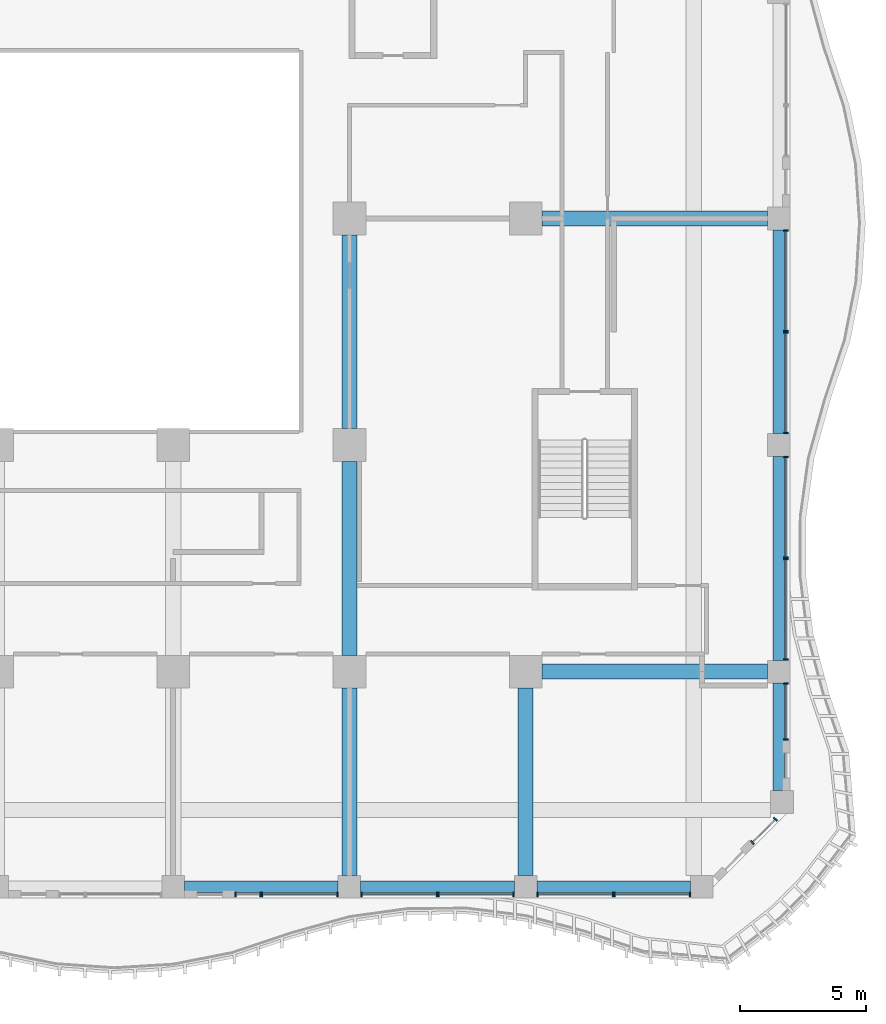
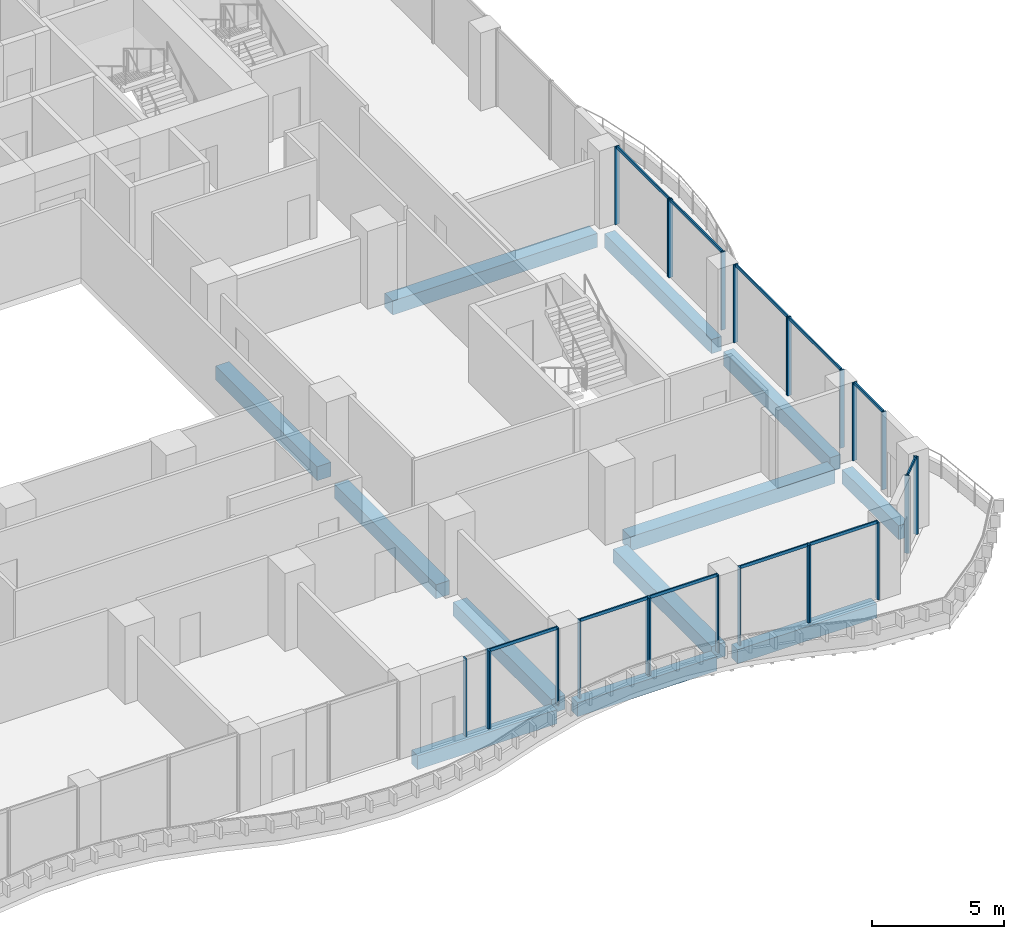
# One storey, part 6 of 23: 35 members, 12 beams, 12 elements without a shape of their own.
"""IFC4 building model written with IfcOpenShell, lengths in metres."""

from ifc_helpers import new_model, si_unit, direction, frame, origin, origin_2d, place, context, subcontext, project, spatial, rectangle, extrude, source, transform, mapped, material, material_profile, profile_set, type_object, element, aggregate, save


model = new_model("IFC4")

# Units and contexts
model_context = context("Model", 3, precision=1e-05, world=origin(), true_north=direction((0.0, 1.0)))
body_context = subcontext(model_context, "Body", "Model", "MODEL_VIEW")
ifc_project = project(units=[si_unit("LENGTHUNIT", "METRE"), si_unit("AREAUNIT", "SQUARE_METRE"), si_unit("VOLUMEUNIT", "CUBIC_METRE"), si_unit("PLANEANGLEUNIT", "RADIAN"), si_unit("MASSUNIT", "GRAM", prefix="KILO")], contexts=[model_context])

# Site, building, storey
site_placement = place(None, origin())
site = spatial("IfcSite", under=ifc_project, at=site_placement, CompositionType="ELEMENT")
building_placement = place(site_placement, origin())
building = spatial("IfcBuilding", under=site, at=building_placement, Name="Kilnfold Tower and Market Hall", CompositionType="ELEMENT")
storey_placement = place(building_placement, frame((0.0, 0.0, 55.0)))
storey = spatial("IfcBuildingStorey", under=building, at=storey_placement, Name="L12", CompositionType="ELEMENT", Elevation=55.0)

# Beams
ifc_material_1 = material(Name="Concrete C45", Category="concrete")
ifc_material_profile_1 = material_profile(ifc_material_1, rectangle(XDim=0.449951171875, YDim=0.64990234375, at=origin_2d()), Name="RC 450x650")
ifc_profile_set_1 = profile_set([ifc_material_profile_1], Name="Concrete C45")
beam_type_1 = type_object("IfcBeamType", Name="EDGE BEAM 450X650 C45", PredefinedType="BEAM", material=ifc_profile_set_1)
shared_shape_1 = source(origin(), body_context, "Body", "SweptSolid", [
    extrude(rectangle(XDim=0.449951171875, YDim=0.64990234375, at=origin_2d()), origin(), (0.0, 0.0, 1.0), 6.10009765625),
])
for number, where, z_axis, x_axis, name in (
    (1, (3.949951171875, -27.550048828125, -0.60498046875), (1.0, 0.0, 0.0), (0.0, 1.0, 0.0), "Beam EB650-B1.4"),
    (2, (10.949951171875, -27.550048828125, -0.60498046875), (1.0, 0.0, 0.0), (0.0, 1.0, 0.0), "Beam EB650-B1.5"),
    (3, (17.949951171875, -27.550048828125, -0.60498046875), (1.0, 0.0, 0.0), (0.0, 1.0, 0.0), "Beam EB650-B1.6"),
):
    element("IfcBeam", number, at=place(storey_placement, frame(where, z_axis=z_axis, x_axis=x_axis)), inside=storey, type_object=beam_type_1, Name=name, PredefinedType="BEAM", context=body_context, shape_type="MappedRepresentation", body=[
        mapped(shared_shape_1, transform((0.0, 0.0, 0.0))),
    ])
ifc_material_2 = material(Name="Concrete C45", Category="concrete")
ifc_material_profile_2 = material_profile(ifc_material_2, rectangle(XDim=0.60009765625, YDim=0.64990234375, at=origin_2d()), Name="RC 600x650")
ifc_profile_set_2 = profile_set([ifc_material_profile_2], Name="Concrete C45")
beam_type_2 = type_object("IfcBeamType", Name="BEAM 600X650 C45", PredefinedType="BEAM", material=ifc_profile_set_2)
shared_shape_2 = source(origin(), body_context, "Body", "SweptSolid", [
    extrude(rectangle(XDim=0.60009765625, YDim=0.64990234375, at=origin_2d()), origin(), (0.0, 0.0, 1.0), 8.9501953125),
])
for number, where, z_axis, x_axis, name in (
    (4, (18.14990234375, -19.0, -0.60498046875), (1.0, 0.0, 0.0), (0.0, 1.0, 0.0), "Beam BB650-B1.12"),
    (5, (18.14990234375, -1.0, -0.60498046875), (1.0, 0.0, 0.0), (0.0, 1.0, 0.0), "Beam BB650-B1.20"),
):
    element("IfcBeam", number, at=place(storey_placement, frame(where, z_axis=z_axis, x_axis=x_axis)), inside=storey, type_object=beam_type_2, Name=name, PredefinedType="BEAM", context=body_context, shape_type="MappedRepresentation", body=[
        mapped(shared_shape_2, transform((0.0, 0.0, 0.0))),
    ])
shared_shape_3 = source(origin(), body_context, "Body", "SweptSolid", [
    extrude(rectangle(XDim=0.449951171875, YDim=0.64990234375, at=origin_2d()), origin(), (0.0, 0.0, 1.0), 8.10009765625),
])
for number, where, z_axis, x_axis, name in (
    (6, (27.550048828125, -18.550048828125, -0.60498046875), (0.0, 1.0, 0.0), (-1.0, 0.0, 0.0), "Beam EB650-B1.52"),
    (7, (27.550048828125, -9.550048828125, -0.60498046875), (0.0, 1.0, 0.0), (-1.0, 0.0, 0.0), "Beam EB650-B1.58"),
):
    element("IfcBeam", number, at=place(storey_placement, frame(where, z_axis=z_axis, x_axis=x_axis)), inside=storey, type_object=beam_type_1, Name=name, PredefinedType="BEAM", context=body_context, shape_type="MappedRepresentation", body=[
        mapped(shared_shape_3, transform((0.0, 0.0, 0.0))),
    ])
shared_shape_4 = source(origin(), body_context, "Body", "SweptSolid", [
    extrude(rectangle(XDim=0.60009765625, YDim=0.64990234375, at=origin_2d()), origin(), (0.0, 0.0, 1.0), 7.4501953125),
])
for number, where, z_axis, x_axis, name in (
    (8, (10.5, -27.10009765625, -0.60498046875), (0.0, 1.0, 0.0), (-1.0, 0.0, 0.0), "Beam BB650-B1.47"),
    (9, (17.5, -27.10009765625, -0.60498046875), (0.0, 1.0, 0.0), (-1.0, 0.0, 0.0), "Beam BB650-B1.50"),
):
    element("IfcBeam", number, at=place(storey_placement, frame(where, z_axis=z_axis, x_axis=x_axis)), inside=storey, type_object=beam_type_2, Name=name, PredefinedType="BEAM", context=body_context, shape_type="MappedRepresentation", body=[
        mapped(shared_shape_4, transform((0.0, 0.0, 0.0))),
    ])
shared_shape_5 = source(origin(), body_context, "Body", "SweptSolid", [
    extrude(rectangle(XDim=0.60009765625, YDim=0.64990234375, at=origin_2d()), origin(), (0.0, 0.0, 1.0), 7.7001953125),
])
for number, where, z_axis, x_axis, name in (
    (10, (10.5, -18.35009765625, -0.60498046875), (0.0, 1.0, 0.0), (-1.0, 0.0, 0.0), "Beam BB650-B1.48"),
    (11, (10.5, -9.35009765625, -0.60498046875), (0.0, 1.0, 0.0), (-1.0, 0.0, 0.0), "Beam BB650-B1.49"),
):
    element("IfcBeam", number, at=place(storey_placement, frame(where, z_axis=z_axis, x_axis=x_axis)), inside=storey, type_object=beam_type_2, Name=name, PredefinedType="BEAM", context=body_context, shape_type="MappedRepresentation", body=[
        mapped(shared_shape_5, transform((0.0, 0.0, 0.0))),
    ])
shared_shape_6 = source(origin(), body_context, "Body", "SweptSolid", [
    extrude(rectangle(XDim=0.449951171875, YDim=0.64990234375, at=origin_2d()), origin(), (0.0, 0.0, 1.0), 4.28173828125),
])
beam_placement = place(storey_placement, frame((27.550048828125, -23.731689453125, -0.60498046875), z_axis=(0.0, 1.0, 0.0), x_axis=(-1.0, 0.0, 0.0)))
element("IfcBeam", 12, at=beam_placement, inside=storey, type_object=beam_type_1, Name="Beam EB650-B1.51", PredefinedType="BEAM", context=body_context, shape_type="MappedRepresentation", body=[
    mapped(shared_shape_6, transform((0.0, 0.0, 0.0))),
])

# Curtain wall, member
ifc_material_3 = material(Name="Aluminium and double glazing", Category="aluminium")
curtain_wall_type = type_object("IfcCurtainWallType", Name="CW OF1 VALLEY GLAZING", PredefinedType="NOTDEFINED", material=ifc_material_3)
curtain_wall_1_placement = place(storey_placement, origin())
curtain_wall_1 = element("IfcCurtainWall", 13, at=curtain_wall_1_placement, inside=storey, type_object=curtain_wall_type, Name="Curtain wall CW1 L12 S", PredefinedType="NOTDEFINED")
ifc_material_4 = material(Name="Aluminium", Category="aluminium")
ifc_material_profile_3 = material_profile(ifc_material_4, rectangle(XDim=0.06005859375, YDim=0.139892578125, at=origin_2d()), Name="TRANSOM 60x140")
ifc_profile_set_3 = profile_set([ifc_material_profile_3], Name="Aluminium")
member_type_1 = type_object("IfcMemberType", Name="TRANSOM 60X140", PredefinedType="USERDEFINED", material=ifc_profile_set_3)
shared_shape_7 = source(origin(), body_context, "Body", "SweptSolid", [
    extrude(rectangle(XDim=0.06005859375, YDim=0.139892578125, at=origin_2d()), origin(), (0.0, 0.0, 1.0), 2.929931640625),
])
member_1_placement = place(storey_placement, frame((7.06005859375, -27.85009765625, 3.570068359375), z_axis=(1.0, 0.0, 0.0), x_axis=(0.0, 1.0, 0.0)))
member_1 = element("IfcMember", 14, at=member_1_placement, type_object=member_type_1, Name="CW1 transom 1.2", ObjectType="TRANSOM", PredefinedType="USERDEFINED", context=body_context, shape_type="MappedRepresentation", body=[
    mapped(shared_shape_7, transform((0.0, 0.0, 0.0))),
])

curtain_wall_2_placement = place(storey_placement, origin())
curtain_wall_2 = element("IfcCurtainWall", 15, at=curtain_wall_2_placement, inside=storey, type_object=curtain_wall_type, Name="Curtain wall CW1 L12 S", PredefinedType="NOTDEFINED")
member_2_placement = place(storey_placement, frame((11.010009765625, -27.85009765625, 3.570068359375), z_axis=(1.0, 0.0, 0.0), x_axis=(0.0, 1.0, 0.0)))
member_2 = element("IfcMember", 16, at=member_2_placement, type_object=member_type_1, Name="CW1 transom 1.2", ObjectType="TRANSOM", PredefinedType="USERDEFINED", context=body_context, shape_type="MappedRepresentation", body=[
    mapped(shared_shape_7, transform((0.0, 0.0, 0.0))),
])

curtain_wall_3_placement = place(storey_placement, origin())
curtain_wall_3 = element("IfcCurtainWall", 17, at=curtain_wall_3_placement, inside=storey, type_object=curtain_wall_type, Name="Curtain wall CW1 L12 S", PredefinedType="NOTDEFINED")
member_3_placement = place(storey_placement, frame((14.06005859375, -27.85009765625, 3.570068359375), z_axis=(1.0, 0.0, 0.0), x_axis=(0.0, 1.0, 0.0)))
member_3 = element("IfcMember", 18, at=member_3_placement, type_object=member_type_1, Name="CW1 transom 1.2", ObjectType="TRANSOM", PredefinedType="USERDEFINED", context=body_context, shape_type="MappedRepresentation", body=[
    mapped(shared_shape_7, transform((0.0, 0.0, 0.0))),
])

curtain_wall_4_placement = place(storey_placement, origin())
curtain_wall_4 = element("IfcCurtainWall", 19, at=curtain_wall_4_placement, inside=storey, type_object=curtain_wall_type, Name="Curtain wall CW1 L12 S", PredefinedType="NOTDEFINED")
member_4_placement = place(storey_placement, frame((18.010009765625, -27.85009765625, 3.570068359375), z_axis=(1.0, 0.0, 0.0), x_axis=(0.0, 1.0, 0.0)))
member_4 = element("IfcMember", 20, at=member_4_placement, type_object=member_type_1, Name="CW1 transom 1.2", ObjectType="TRANSOM", PredefinedType="USERDEFINED", context=body_context, shape_type="MappedRepresentation", body=[
    mapped(shared_shape_7, transform((0.0, 0.0, 0.0))),
])

curtain_wall_5_placement = place(storey_placement, origin())
curtain_wall_5 = element("IfcCurtainWall", 21, at=curtain_wall_5_placement, inside=storey, type_object=curtain_wall_type, Name="Curtain wall CW1 L12 S", PredefinedType="NOTDEFINED")
member_5_placement = place(storey_placement, frame((21.06005859375, -27.85009765625, 3.570068359375), z_axis=(1.0, 0.0, 0.0), x_axis=(0.0, 1.0, 0.0)))
member_5 = element("IfcMember", 22, at=member_5_placement, type_object=member_type_1, Name="CW1 transom 1.2", ObjectType="TRANSOM", PredefinedType="USERDEFINED", context=body_context, shape_type="MappedRepresentation", body=[
    mapped(shared_shape_7, transform((0.0, 0.0, 0.0))),
])

curtain_wall_6_placement = place(storey_placement, origin())
curtain_wall_6 = element("IfcCurtainWall", 23, at=curtain_wall_6_placement, inside=storey, type_object=curtain_wall_type, Name="Curtain wall CW1 L12 SE", PredefinedType="NOTDEFINED")
shared_shape_8 = source(origin(), body_context, "Body", "SweptSolid", [
    extrude(rectangle(XDim=0.06005859375, YDim=0.139892578125, at=origin_2d()), origin(), (0.0, 0.0, 1.0), 1.23876953125),
])
member_6_placement = place(storey_placement, frame((26.525634765625, -25.76220703125, 3.570068359375), z_axis=(0.707106781187, 0.707106781187, 0.0), x_axis=(-0.707106781187, 0.707106781187, 0.0)))
member_6 = element("IfcMember", 24, at=member_6_placement, type_object=member_type_1, Name="CW1 transom 1.2", ObjectType="TRANSOM", PredefinedType="USERDEFINED", context=body_context, shape_type="MappedRepresentation", body=[
    mapped(shared_shape_8, transform((0.0, 0.0, 0.0))),
])

curtain_wall_7_placement = place(storey_placement, origin())
curtain_wall_7 = element("IfcCurtainWall", 25, at=curtain_wall_7_placement, inside=storey, type_object=curtain_wall_type, Name="Curtain wall CW1 L12 E", PredefinedType="NOTDEFINED")
shared_shape_9 = source(origin(), body_context, "Body", "SweptSolid", [
    extrude(rectangle(XDim=0.06005859375, YDim=0.139892578125, at=origin_2d()), origin(), (0.0, 0.0, 1.0), 2.161865234375),
])
member_7_placement = place(storey_placement, frame((27.85009765625, -21.671875, 3.570068359375), z_axis=(0.0, 1.0, 0.0), x_axis=(-1.0, 0.0, 0.0)))
member_7 = element("IfcMember", 26, at=member_7_placement, type_object=member_type_1, Name="CW1 transom 1.2", ObjectType="TRANSOM", PredefinedType="USERDEFINED", context=body_context, shape_type="MappedRepresentation", body=[
    mapped(shared_shape_9, transform((0.0, 0.0, 0.0))),
])

curtain_wall_8_placement = place(storey_placement, origin())
curtain_wall_8 = element("IfcCurtainWall", 27, at=curtain_wall_8_placement, inside=storey, type_object=curtain_wall_type, Name="Curtain wall CW1 L12 E", PredefinedType="NOTDEFINED")
shared_shape_10 = source(origin(), body_context, "Body", "SweptSolid", [
    extrude(rectangle(XDim=0.06005859375, YDim=0.139892578125, at=origin_2d()), origin(), (0.0, 0.0, 1.0), 3.929931640625),
])
member_8_placement = place(storey_placement, frame((27.85009765625, -18.489990234375, 3.570068359375), z_axis=(0.0, 1.0, 0.0), x_axis=(-1.0, 0.0, 0.0)))
member_8 = element("IfcMember", 28, at=member_8_placement, type_object=member_type_1, Name="CW1 transom 1.2", ObjectType="TRANSOM", PredefinedType="USERDEFINED", context=body_context, shape_type="MappedRepresentation", body=[
    mapped(shared_shape_10, transform((0.0, 0.0, 0.0))),
])

curtain_wall_9_placement = place(storey_placement, origin())
curtain_wall_9 = element("IfcCurtainWall", 29, at=curtain_wall_9_placement, inside=storey, type_object=curtain_wall_type, Name="Curtain wall CW1 L12 E", PredefinedType="NOTDEFINED")
member_9_placement = place(storey_placement, frame((27.85009765625, -14.43994140625, 3.570068359375), z_axis=(0.0, 1.0, 0.0), x_axis=(-1.0, 0.0, 0.0)))
member_9 = element("IfcMember", 30, at=member_9_placement, type_object=member_type_1, Name="CW1 transom 1.2", ObjectType="TRANSOM", PredefinedType="USERDEFINED", context=body_context, shape_type="MappedRepresentation", body=[
    mapped(shared_shape_10, transform((0.0, 0.0, 0.0))),
])

curtain_wall_10_placement = place(storey_placement, origin())
curtain_wall_10 = element("IfcCurtainWall", 31, at=curtain_wall_10_placement, inside=storey, type_object=curtain_wall_type, Name="Curtain wall CW1 L12 E", PredefinedType="NOTDEFINED")
member_10_placement = place(storey_placement, frame((27.85009765625, -9.489990234375, 3.570068359375), z_axis=(0.0, 1.0, 0.0), x_axis=(-1.0, 0.0, 0.0)))
member_10 = element("IfcMember", 32, at=member_10_placement, type_object=member_type_1, Name="CW1 transom 1.2", ObjectType="TRANSOM", PredefinedType="USERDEFINED", context=body_context, shape_type="MappedRepresentation", body=[
    mapped(shared_shape_10, transform((0.0, 0.0, 0.0))),
])

curtain_wall_11_placement = place(storey_placement, origin())
curtain_wall_11 = element("IfcCurtainWall", 33, at=curtain_wall_11_placement, inside=storey, type_object=curtain_wall_type, Name="Curtain wall CW1 L12 E", PredefinedType="NOTDEFINED")
member_11_placement = place(storey_placement, frame((27.85009765625, -5.43994140625, 3.570068359375), z_axis=(0.0, 1.0, 0.0), x_axis=(-1.0, 0.0, 0.0)))
member_11 = element("IfcMember", 34, at=member_11_placement, type_object=member_type_1, Name="CW1 transom 1.2", ObjectType="TRANSOM", PredefinedType="USERDEFINED", context=body_context, shape_type="MappedRepresentation", body=[
    mapped(shared_shape_10, transform((0.0, 0.0, 0.0))),
])

# Curtain wall, members
curtain_wall_12_placement = place(storey_placement, origin())
curtain_wall_12 = element("IfcCurtainWall", 35, at=curtain_wall_12_placement, inside=storey, type_object=curtain_wall_type, Name="Curtain wall CW1 L12 S", PredefinedType="NOTDEFINED")
ifc_material_5 = material(Name="Aluminium", Category="aluminium")
ifc_material_profile_4 = material_profile(ifc_material_5, rectangle(XDim=0.06005859375, YDim=0.179931640625, at=origin_2d()), Name="MULLION 60x180")
ifc_profile_set_4 = profile_set([ifc_material_profile_4], Name="Aluminium")
member_type_2 = type_object("IfcMemberType", Name="MULLION 60X180", PredefinedType="MULLION", material=ifc_profile_set_4)
shared_shape_11 = source(origin(), body_context, "Body", "SweptSolid", [
    extrude(rectangle(XDim=0.06005859375, YDim=0.179931640625, at=origin_2d()), origin(), (0.0, 0.0, 1.0), 3.60009765625),
])
member_12_placement = place(storey_placement, frame((5.97998046875, -27.85009765625, 0.0), z_axis=(0.0, 0.0, 1.0), x_axis=(1.0, 0.0, 0.0)))
member_12 = element("IfcMember", 36, at=member_12_placement, type_object=member_type_2, Name="CW1 mullion 1", PredefinedType="MULLION", context=body_context, shape_type="MappedRepresentation", body=[
    mapped(shared_shape_11, transform((0.0, 0.0, 0.0))),
])
member_13_placement = place(storey_placement, frame((6.969970703125, -27.85009765625, 0.0), z_axis=(0.0, 0.0, 1.0), x_axis=(1.0, 0.0, 0.0)))
member_13 = element("IfcMember", 37, at=member_13_placement, type_object=member_type_2, Name="CW1 mullion 2", PredefinedType="MULLION", context=body_context, shape_type="MappedRepresentation", body=[
    mapped(shared_shape_11, transform((0.0, 0.0, 0.0))),
])
aggregate(curtain_wall_12, [member_12, member_13])

# Member
member_14_placement = place(storey_placement, frame((7.030029296875, -27.85009765625, 0.0), z_axis=(0.0, 0.0, 1.0), x_axis=(1.0, 0.0, 0.0)))
member_14 = element("IfcMember", 38, at=member_14_placement, type_object=member_type_2, Name="CW1 mullion 1", PredefinedType="MULLION", context=body_context, shape_type="MappedRepresentation", body=[
    mapped(shared_shape_11, transform((0.0, 0.0, 0.0))),
])

member_15_placement = place(storey_placement, frame((10.02001953125, -27.85009765625, 0.0), z_axis=(0.0, 0.0, 1.0), x_axis=(1.0, 0.0, 0.0)))
member_15 = element("IfcMember", 39, at=member_15_placement, type_object=member_type_2, Name="CW1 mullion 2", PredefinedType="MULLION", context=body_context, shape_type="MappedRepresentation", body=[
    mapped(shared_shape_11, transform((0.0, 0.0, 0.0))),
])

aggregate(curtain_wall_1, [member_14, member_15, member_1])

member_16_placement = place(storey_placement, frame((10.97998046875, -27.85009765625, 0.0), z_axis=(0.0, 0.0, 1.0), x_axis=(1.0, 0.0, 0.0)))
member_16 = element("IfcMember", 40, at=member_16_placement, type_object=member_type_2, Name="CW1 mullion 1", PredefinedType="MULLION", context=body_context, shape_type="MappedRepresentation", body=[
    mapped(shared_shape_11, transform((0.0, 0.0, 0.0))),
])

member_17_placement = place(storey_placement, frame((13.969970703125, -27.85009765625, 0.0), z_axis=(0.0, 0.0, 1.0), x_axis=(1.0, 0.0, 0.0)))
member_17 = element("IfcMember", 41, at=member_17_placement, type_object=member_type_2, Name="CW1 mullion 2", PredefinedType="MULLION", context=body_context, shape_type="MappedRepresentation", body=[
    mapped(shared_shape_11, transform((0.0, 0.0, 0.0))),
])

aggregate(curtain_wall_2, [member_16, member_17, member_2])

member_18_placement = place(storey_placement, frame((14.030029296875, -27.85009765625, 0.0), z_axis=(0.0, 0.0, 1.0), x_axis=(1.0, 0.0, 0.0)))
member_18 = element("IfcMember", 42, at=member_18_placement, type_object=member_type_2, Name="CW1 mullion 1", PredefinedType="MULLION", context=body_context, shape_type="MappedRepresentation", body=[
    mapped(shared_shape_11, transform((0.0, 0.0, 0.0))),
])

member_19_placement = place(storey_placement, frame((17.02001953125, -27.85009765625, 0.0), z_axis=(0.0, 0.0, 1.0), x_axis=(1.0, 0.0, 0.0)))
member_19 = element("IfcMember", 43, at=member_19_placement, type_object=member_type_2, Name="CW1 mullion 2", PredefinedType="MULLION", context=body_context, shape_type="MappedRepresentation", body=[
    mapped(shared_shape_11, transform((0.0, 0.0, 0.0))),
])

aggregate(curtain_wall_3, [member_18, member_19, member_3])

member_20_placement = place(storey_placement, frame((17.97998046875, -27.85009765625, 0.0), z_axis=(0.0, 0.0, 1.0), x_axis=(1.0, 0.0, 0.0)))
member_20 = element("IfcMember", 44, at=member_20_placement, type_object=member_type_2, Name="CW1 mullion 1", PredefinedType="MULLION", context=body_context, shape_type="MappedRepresentation", body=[
    mapped(shared_shape_11, transform((0.0, 0.0, 0.0))),
])

member_21_placement = place(storey_placement, frame((20.969970703125, -27.85009765625, 0.0), z_axis=(0.0, 0.0, 1.0), x_axis=(1.0, 0.0, 0.0)))
member_21 = element("IfcMember", 45, at=member_21_placement, type_object=member_type_2, Name="CW1 mullion 2", PredefinedType="MULLION", context=body_context, shape_type="MappedRepresentation", body=[
    mapped(shared_shape_11, transform((0.0, 0.0, 0.0))),
])

aggregate(curtain_wall_4, [member_20, member_21, member_4])

member_22_placement = place(storey_placement, frame((21.030029296875, -27.85009765625, 0.0), z_axis=(0.0, 0.0, 1.0), x_axis=(1.0, 0.0, 0.0)))
member_22 = element("IfcMember", 46, at=member_22_placement, type_object=member_type_2, Name="CW1 mullion 1", PredefinedType="MULLION", context=body_context, shape_type="MappedRepresentation", body=[
    mapped(shared_shape_11, transform((0.0, 0.0, 0.0))),
])

member_23_placement = place(storey_placement, frame((24.02001953125, -27.85009765625, 0.0), z_axis=(0.0, 0.0, 1.0), x_axis=(1.0, 0.0, 0.0)))
member_23 = element("IfcMember", 47, at=member_23_placement, type_object=member_type_2, Name="CW1 mullion 2", PredefinedType="MULLION", context=body_context, shape_type="MappedRepresentation", body=[
    mapped(shared_shape_11, transform((0.0, 0.0, 0.0))),
])

aggregate(curtain_wall_5, [member_22, member_23, member_5])

member_24_placement = place(storey_placement, frame((26.50439453125, -25.783447265625, 0.0), z_axis=(0.0, 0.0, 1.0), x_axis=(0.707106781187, 0.707106781187, 0.0)))
member_24 = element("IfcMember", 48, at=member_24_placement, type_object=member_type_2, Name="CW1 mullion 1", PredefinedType="MULLION", context=body_context, shape_type="MappedRepresentation", body=[
    mapped(shared_shape_11, transform((0.0, 0.0, 0.0))),
])

member_25_placement = place(storey_placement, frame((27.4228515625, -24.865234375, 0.0), z_axis=(0.0, 0.0, 1.0), x_axis=(0.707106781187, 0.707106781187, 0.0)))
member_25 = element("IfcMember", 49, at=member_25_placement, type_object=member_type_2, Name="CW1 mullion 2", PredefinedType="MULLION", context=body_context, shape_type="MappedRepresentation", body=[
    mapped(shared_shape_11, transform((0.0, 0.0, 0.0))),
])

aggregate(curtain_wall_6, [member_24, member_25, member_6])

member_26_placement = place(storey_placement, frame((27.85009765625, -21.701904296875, 0.0), z_axis=(0.0, 0.0, 1.0), x_axis=(0.0, 1.0, 0.0)))
member_26 = element("IfcMember", 50, at=member_26_placement, type_object=member_type_2, Name="CW1 mullion 1", PredefinedType="MULLION", context=body_context, shape_type="MappedRepresentation", body=[
    mapped(shared_shape_11, transform((0.0, 0.0, 0.0))),
])

member_27_placement = place(storey_placement, frame((27.85009765625, -19.47998046875, 0.0), z_axis=(0.0, 0.0, 1.0), x_axis=(0.0, 1.0, 0.0)))
member_27 = element("IfcMember", 51, at=member_27_placement, type_object=member_type_2, Name="CW1 mullion 2", PredefinedType="MULLION", context=body_context, shape_type="MappedRepresentation", body=[
    mapped(shared_shape_11, transform((0.0, 0.0, 0.0))),
])

aggregate(curtain_wall_7, [member_26, member_27, member_7])

member_28_placement = place(storey_placement, frame((27.85009765625, -18.52001953125, 0.0), z_axis=(0.0, 0.0, 1.0), x_axis=(0.0, 1.0, 0.0)))
member_28 = element("IfcMember", 52, at=member_28_placement, type_object=member_type_2, Name="CW1 mullion 1", PredefinedType="MULLION", context=body_context, shape_type="MappedRepresentation", body=[
    mapped(shared_shape_11, transform((0.0, 0.0, 0.0))),
])

member_29_placement = place(storey_placement, frame((27.85009765625, -14.530029296875, 0.0), z_axis=(0.0, 0.0, 1.0), x_axis=(0.0, 1.0, 0.0)))
member_29 = element("IfcMember", 53, at=member_29_placement, type_object=member_type_2, Name="CW1 mullion 2", PredefinedType="MULLION", context=body_context, shape_type="MappedRepresentation", body=[
    mapped(shared_shape_11, transform((0.0, 0.0, 0.0))),
])

aggregate(curtain_wall_8, [member_28, member_29, member_8])

member_30_placement = place(storey_placement, frame((27.85009765625, -14.469970703125, 0.0), z_axis=(0.0, 0.0, 1.0), x_axis=(0.0, 1.0, 0.0)))
member_30 = element("IfcMember", 54, at=member_30_placement, type_object=member_type_2, Name="CW1 mullion 1", PredefinedType="MULLION", context=body_context, shape_type="MappedRepresentation", body=[
    mapped(shared_shape_11, transform((0.0, 0.0, 0.0))),
])

member_31_placement = place(storey_placement, frame((27.85009765625, -10.47998046875, 0.0), z_axis=(0.0, 0.0, 1.0), x_axis=(0.0, 1.0, 0.0)))
member_31 = element("IfcMember", 55, at=member_31_placement, type_object=member_type_2, Name="CW1 mullion 2", PredefinedType="MULLION", context=body_context, shape_type="MappedRepresentation", body=[
    mapped(shared_shape_11, transform((0.0, 0.0, 0.0))),
])

aggregate(curtain_wall_9, [member_30, member_31, member_9])

member_32_placement = place(storey_placement, frame((27.85009765625, -9.52001953125, 0.0), z_axis=(0.0, 0.0, 1.0), x_axis=(0.0, 1.0, 0.0)))
member_32 = element("IfcMember", 56, at=member_32_placement, type_object=member_type_2, Name="CW1 mullion 1", PredefinedType="MULLION", context=body_context, shape_type="MappedRepresentation", body=[
    mapped(shared_shape_11, transform((0.0, 0.0, 0.0))),
])

member_33_placement = place(storey_placement, frame((27.85009765625, -5.530029296875, 0.0), z_axis=(0.0, 0.0, 1.0), x_axis=(0.0, 1.0, 0.0)))
member_33 = element("IfcMember", 57, at=member_33_placement, type_object=member_type_2, Name="CW1 mullion 2", PredefinedType="MULLION", context=body_context, shape_type="MappedRepresentation", body=[
    mapped(shared_shape_11, transform((0.0, 0.0, 0.0))),
])

aggregate(curtain_wall_10, [member_32, member_33, member_10])

member_34_placement = place(storey_placement, frame((27.85009765625, -5.469970703125, 0.0), z_axis=(0.0, 0.0, 1.0), x_axis=(0.0, 1.0, 0.0)))
member_34 = element("IfcMember", 58, at=member_34_placement, type_object=member_type_2, Name="CW1 mullion 1", PredefinedType="MULLION", context=body_context, shape_type="MappedRepresentation", body=[
    mapped(shared_shape_11, transform((0.0, 0.0, 0.0))),
])

member_35_placement = place(storey_placement, frame((27.85009765625, -1.47998046875, 0.0), z_axis=(0.0, 0.0, 1.0), x_axis=(0.0, 1.0, 0.0)))
member_35 = element("IfcMember", 59, at=member_35_placement, type_object=member_type_2, Name="CW1 mullion 2", PredefinedType="MULLION", context=body_context, shape_type="MappedRepresentation", body=[
    mapped(shared_shape_11, transform((0.0, 0.0, 0.0))),
])

aggregate(curtain_wall_11, [member_34, member_35, member_11])

save(model, "model.ifc")
